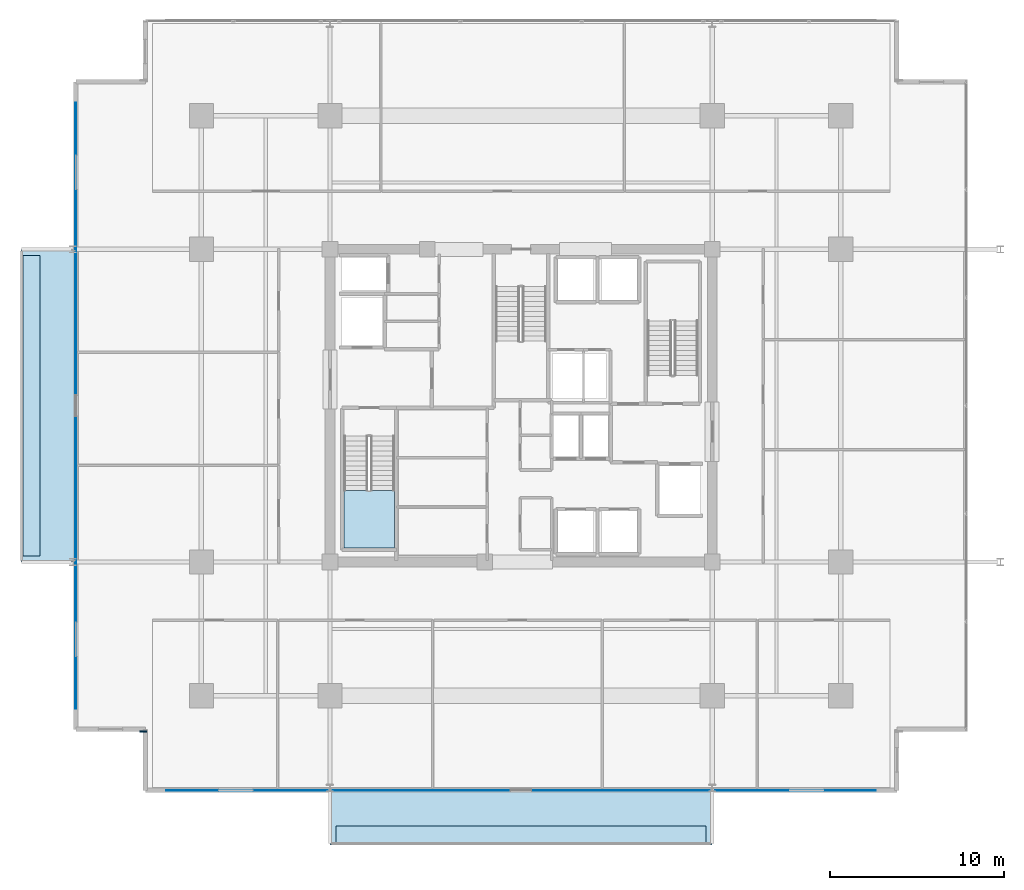
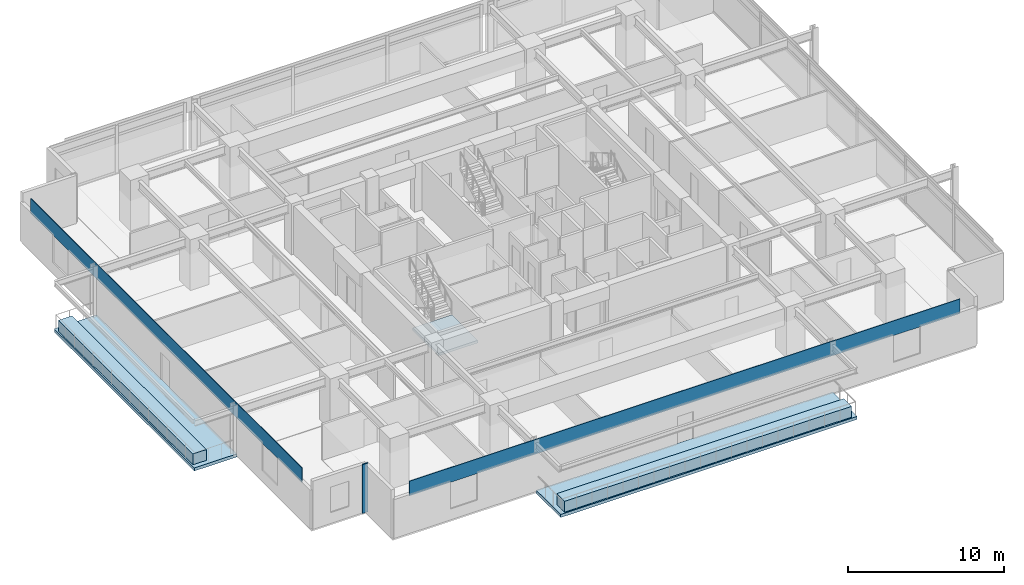
# One storey, part 13 of 23: 5 slabs, 3 plates, 1 element without a shape of its own.
"""IFC4 building model written with IfcOpenShell, lengths in metres."""

from ifc_helpers import new_model, si_unit, direction, frame, origin, origin_2d, place, context, subcontext, project, spatial, polyline, rectangle, outline, extrude, material, layer, layer_set, type_object, element, aggregate, save


model = new_model("IFC4")

# Units and contexts
model_context = context("Model", 3, precision=1e-05, world=origin(), true_north=direction((0.0, 1.0)))
body_context = subcontext(model_context, "Body", "Model", "MODEL_VIEW")
ifc_project = project(units=[si_unit("LENGTHUNIT", "METRE"), si_unit("AREAUNIT", "SQUARE_METRE"), si_unit("VOLUMEUNIT", "CUBIC_METRE"), si_unit("PLANEANGLEUNIT", "RADIAN"), si_unit("MASSUNIT", "GRAM", prefix="KILO")], contexts=[model_context])

# Site, building, storey
site_placement = place(None, origin())
site = spatial("IfcSite", under=ifc_project, at=site_placement, CompositionType="ELEMENT")
building_placement = place(site_placement, origin())
building = spatial("IfcBuilding", under=site, at=building_placement, Name="Kovane Verandah Tower", CompositionType="ELEMENT")
storey_placement = place(building_placement, frame((0.0, 0.0, 221.199951171875)))
storey = spatial("IfcBuildingStorey", under=building, at=storey_placement, Name="L51", CompositionType="ELEMENT", Elevation=221.199951171875)

# Plates
ifc_material_1 = material(Name="Timber-Toned Subtropical Aluminium Vertical Blade", Category="wood")
ifc_layer_1 = layer(ifc_material_1, 0.090087890625)
ifc_layer_set_1 = layer_set([ifc_layer_1], Name="Timber-Toned Subtropical Aluminium Vertical Blade")
plate_type_1 = type_object("IfcPlateType", Name="PL-FIN-90", PredefinedType="USERDEFINED", material=ifc_layer_set_1)
plate_1_placement = place(storey_placement, frame((18.248779296875, 8.739501953125, -0.02001953125), z_axis=(0.0, 0.0, 1.0), x_axis=(1.0, 0.0, 0.0)))
element("IfcPlate", 1, at=plate_1_placement, inside=storey, type_object=plate_type_1, Name="L51 SW Timber-Toned Vertical Corner Fin", ObjectType="FIN", PredefinedType="USERDEFINED", context=body_context, shape_type="SweptSolid", body=[
    extrude(rectangle(XDim=0.419921875, YDim=0.090087890625, at=origin_2d()), origin(), (0.0, 0.0, 1.0), 3.8349609375),
])
ifc_material_2 = material(Name="Perforated Pale Champagne Anodised Aluminium Solar Screen", Category="aluminium")
ifc_layer_2 = layer(ifc_material_2, 0.050048828125)
ifc_layer_set_2 = layer_set([ifc_layer_2], Name="Perforated Pale Champagne Anodised Aluminium Solar Screen")
plate_type_2 = type_object("IfcPlateType", Name="PL-SCREEN-50", PredefinedType="USERDEFINED", material=ifc_layer_set_2)
plate_2_placement = place(storey_placement, frame((40.0, 5.344482421875, 2.875), z_axis=(0.0, 0.0, 1.0), x_axis=(1.0, 0.0, 0.0)))
element("IfcPlate", 2, at=plate_2_placement, inside=storey, type_object=plate_type_2, Name="L51 S Perforated Champagne-Gold Solar Screen", ObjectType="SCREEN", PredefinedType="USERDEFINED", context=body_context, shape_type="SweptSolid", body=[
    extrude(rectangle(XDim=40.863037109375, YDim=0.050048828125, at=origin_2d()), origin(), (0.0, 0.0, 1.0), 1.14990234375),
])
plate_3_placement = place(storey_placement, frame((14.353759765625, 27.5, 2.875), z_axis=(0.0, 0.0, 1.0), x_axis=(0.0, -1.0, 0.0)))
element("IfcPlate", 3, at=plate_3_placement, inside=storey, type_object=plate_type_2, Name="L51 W Perforated Champagne-Gold Solar Screen", ObjectType="SCREEN", PredefinedType="USERDEFINED", context=body_context, shape_type="SweptSolid", body=[
    extrude(rectangle(XDim=34.881103515625, YDim=0.050048828125, at=origin_2d()), origin(), (0.0, 0.0, 1.0), 1.14990234375),
])

# Slabs
ifc_material_3 = material(Name="Concrete C45/55", Category="concrete")
ifc_layer_3 = layer(ifc_material_3, 0.239990234375)
ifc_layer_set_3 = layer_set([ifc_layer_3], Name="Concrete C45/55")
slab_type_1 = type_object("IfcSlabType", Name="SL-BALC-240", PredefinedType="FLOOR", material=ifc_layer_set_3)
slab_1_placement = place(storey_placement, frame((0.0, 0.0, -0.239990234375)))
element("IfcSlab", 4, at=slab_1_placement, inside=storey, type_object=slab_type_1, Name="L51 S Planted Verandah Balcony Slab", PredefinedType="FLOOR", context=body_context, shape_type="SweptSolid", body=[
    extrude(outline(polyline([(29.0, 2.209716796875), (51.0, 2.209716796875), (51.0, 5.359619140625), (29.0, 5.359619140625), (29.0, 2.209716796875)])), origin(), (0.0, 0.0, 1.0), 0.239990234375),
])
slab_2_placement = place(storey_placement, frame((0.0, 0.0, -0.239990234375)))
element("IfcSlab", 5, at=slab_2_placement, inside=storey, type_object=slab_type_1, Name="L51 W Planted Verandah Balcony Slab", PredefinedType="FLOOR", context=body_context, shape_type="SweptSolid", body=[
    extrude(outline(polyline([(11.21875, 18.5), (14.36865234375, 18.5), (14.36865234375, 36.5), (11.21875, 36.5), (11.21875, 18.5)])), origin(), (0.0, 0.0, 1.0), 0.239990234375),
])

# Stair, slab
stair_type = type_object("IfcStairType", Name="ST-CORE-1380", PredefinedType="HALF_TURN_STAIR", material=ifc_material_3)
stair_placement = place(storey_placement, origin())
stair = element("IfcStair", 6, at=stair_placement, inside=storey, type_object=stair_type, Name="L51 Exit Stair ST-01", PredefinedType="HALF_TURN_STAIR")
ifc_layer_4 = layer(ifc_material_3, 0.199951171875)
ifc_layer_set_4 = layer_set([ifc_layer_4], Name="Concrete C45/55")
slab_type_2 = type_object("IfcSlabType", Name="SL-LAND-200", PredefinedType="LANDING", material=ifc_layer_set_4)
slab_3_placement = place(storey_placement, frame((0.0, 0.0, 1.800048828125)))
slab_3 = element("IfcSlab", 7, at=slab_3_placement, type_object=slab_type_2, Name="ST-01 landing 1", PredefinedType="LANDING", context=body_context, shape_type="SweptSolid", body=[
    extrude(outline(polyline([(29.800048828125, 22.614990234375), (29.800048828125, 19.300048828125), (32.719970703125, 19.300048828125), (32.719970703125, 22.614990234375), (29.800048828125, 22.614990234375)])), origin(), (0.0, 0.0, 1.0), 0.199951171875),
])
aggregate(stair, [slab_3])

# Slabs
ifc_material_4 = material(Name="Architectural Precast Concrete C45/55 Planter Trough", Category="concrete")
ifc_layer_5 = layer(ifc_material_4, 0.219970703125)
ifc_layer_set_5 = layer_set([ifc_layer_5], Name="Architectural Precast Concrete C45/55 Planter Trough")
slab_type_3 = type_object("IfcSlabType", Name="SL-PLANTER-220", PredefinedType="USERDEFINED", material=ifc_layer_set_5)
slab_4_placement = place(storey_placement, origin())
element("IfcSlab", 8, at=slab_4_placement, inside=storey, type_object=slab_type_3, Name="L51 S Structural Tree Planter", ObjectType="PLANTER", PredefinedType="USERDEFINED", context=body_context, shape_type="SweptSolid", body=[
    extrude(outline(polyline([(29.35009765625, 2.3095703125), (50.64990234375, 2.3095703125), (50.64990234375, 3.3095703125), (29.35009765625, 3.3095703125), (29.35009765625, 2.3095703125)])), origin(), (0.0, 0.0, 1.0), 0.85009765625),
])
slab_5_placement = place(storey_placement, origin())
element("IfcSlab", 9, at=slab_5_placement, inside=storey, type_object=slab_type_3, Name="L51 W Structural Tree Planter", ObjectType="PLANTER", PredefinedType="USERDEFINED", context=body_context, shape_type="SweptSolid", body=[
    extrude(outline(polyline([(11.318603515625, 18.85009765625), (12.318603515625, 18.85009765625), (12.318603515625, 36.14990234375), (11.318603515625, 36.14990234375), (11.318603515625, 18.85009765625)])), origin(), (0.0, 0.0, 1.0), 0.85009765625),
])

save(model, "model.ifc")
